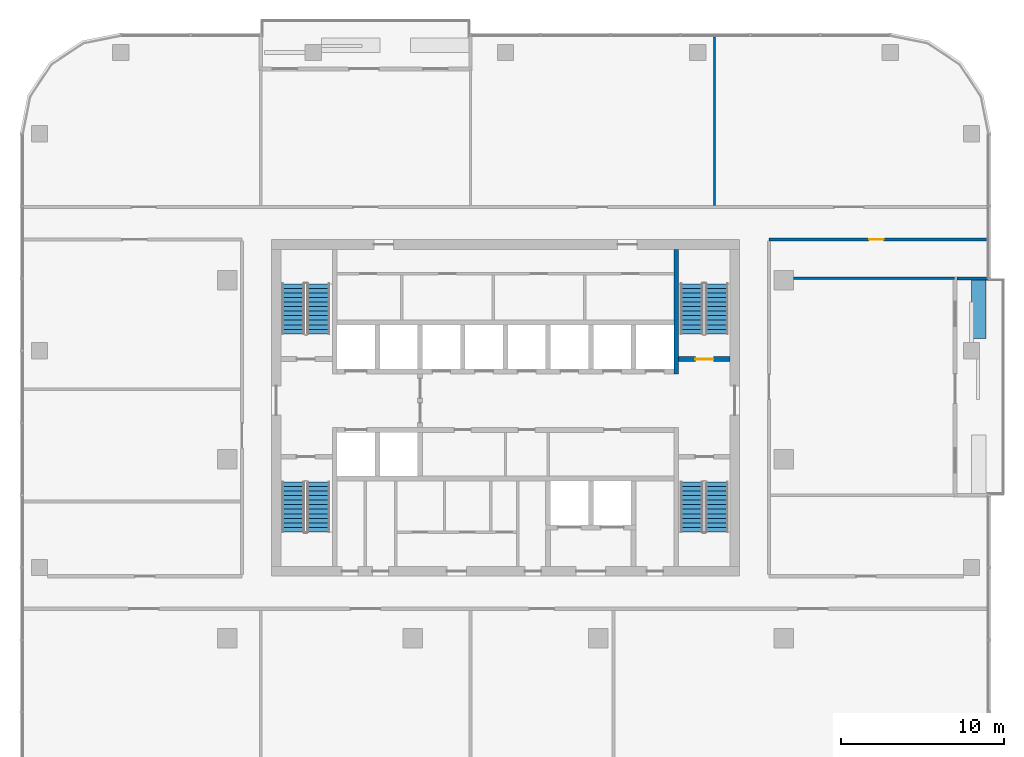
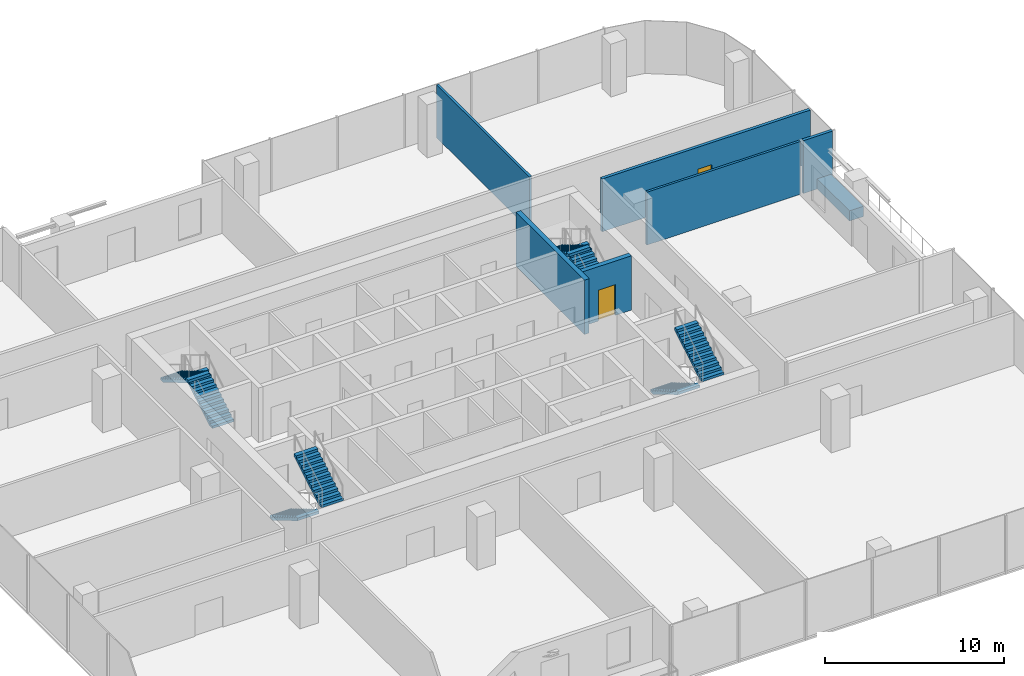
# One storey, part 10 of 13: 8 stair flights, 7 walls, 2 doors, 2 openings, 4 elements without a shape of their own.
"""IFC4 building model written with IfcOpenShell, lengths in metres."""

from ifc_helpers import new_model, si_unit, direction, frame, frame_2d, origin, place, context, subcontext, project, spatial, polyline, rectangle, outline, extrude, material, layer, layer_set, type_object, element, fill, aggregate, save


model = new_model("IFC4")

# Units and contexts
model_context = context("Model", 3, precision=1e-05, world=origin(), true_north=direction((0.0, 1.0)))
body_context = subcontext(model_context, "Body", "Model", "MODEL_VIEW")
ifc_project = project(units=[si_unit("LENGTHUNIT", "METRE"), si_unit("AREAUNIT", "SQUARE_METRE"), si_unit("VOLUMEUNIT", "CUBIC_METRE"), si_unit("PLANEANGLEUNIT", "RADIAN"), si_unit("MASSUNIT", "GRAM", prefix="KILO")], contexts=[model_context])

# Site, building, storey
site_placement = place(None, origin())
site = spatial("IfcSite", under=ifc_project, at=site_placement, CompositionType="ELEMENT")
building_placement = place(site_placement, origin())
building = spatial("IfcBuilding", under=site, at=building_placement, Name="Mopane Tessera Tower", CompositionType="ELEMENT")
storey_placement = place(building_placement, frame((0.0, 0.0, 307.39990234375)))
storey = spatial("IfcBuildingStorey", under=building, at=storey_placement, Name="L67", CompositionType="ELEMENT", Elevation=307.39990234375)

# Wall
ifc_material_1 = material(Name="Concrete C60/75", Category="concrete")
ifc_layer_1 = layer(ifc_material_1, 0.300048828125)
ifc_layer_set_1 = layer_set([ifc_layer_1], Name="Concrete C60/75")
wall_type_1 = type_object("IfcWallType", Name="Core spine wall 300 mm", PredefinedType="SHEAR", material=ifc_layer_set_1)
wall_1_placement = place(storey_placement, frame((10.5, 5.25, 0.0), z_axis=(0.0, 0.0, 1.0), x_axis=(0.0, 1.0, 0.0)))
element("IfcWall", 1, at=wall_1_placement, inside=storey, type_object=wall_type_1, Name="L67 Core spine wall", PredefinedType="SHEAR", context=body_context, shape_type="SweptSolid", body=[
    extrude(rectangle(XDim=7.64990234375, YDim=0.300048828125, at=frame_2d((3.824951171875, 0.0))), origin(), (0.0, 0.0, 1.0), 3.7001953125),
])

# Wall, opening, door
ifc_material_2 = material(Name="Gypsum board on steel studs, two layers each face, mineral wool infill", Category="steel")
ifc_layer_2 = layer(ifc_material_2, 0.199951171875)
ifc_layer_set_2 = layer_set([ifc_layer_2], Name="Gypsum board on steel studs, two layers each face, mineral wool infill")
wall_type_2 = type_object("IfcWallType", Name="Gypsum board corridor wall 200, rated EI 60", PredefinedType="PARTITIONING", material=ifc_layer_set_2)
wall_2_placement = place(storey_placement, frame((16.199951171875, 13.5, 0.0), z_axis=(0.0, 0.0, 1.0), x_axis=(1.0, 0.0, 0.0)))
wall_2 = element("IfcWall", 2, at=wall_2_placement, inside=storey, type_object=wall_type_2, Name="Partition L67:008", PredefinedType="PARTITIONING", context=body_context, shape_type="SweptSolid", body=[
    extrude(rectangle(XDim=13.400146484375, YDim=0.199951171875, at=frame_2d((6.7001953125, 0.0))), origin(), (0.0, 0.0, 1.0), 3.60009765625),
])
opening_1_placement = place(wall_2_placement, frame((6.14990234375, 0.0, 0.0)))
opening_1 = element("IfcOpeningElement", 3, at=opening_1_placement, cuts=wall_2, Name="Opening L67-07", PredefinedType="OPENING", context=body_context, shape_type="SweptSolid", body=[
    extrude(rectangle(XDim=0.89990234375, YDim=2.10009765625, at=frame_2d((0.449951171875, 1.050048828125))), frame((0.0, 0.112060546875, 0.0), z_axis=(0.0, -1.0, 0.0), x_axis=(1.0, 0.0, 0.0)), (0.0, 0.0, 1.0), 0.223876953125),
])
ifc_material_3 = material(Name="Timber veneered steel-framed fire door", Category="steel")
door_type_1 = type_object("IfcDoorType", Name="Fire door FD60 900 x 2100", OperationType="SINGLE_SWING_LEFT", PredefinedType="DOOR", material=ifc_material_3)
door_1_placement = place(opening_1_placement, origin())
door_1 = element("IfcDoor", 4, at=door_1_placement, inside=storey, type_object=door_type_1, Name="Door L67-07", ObjectType="D10A", OperationType="SINGLE_SWING_LEFT", OverallHeight=2.10009765625, OverallWidth=0.89990234375, PredefinedType="DOOR", context=body_context, shape_type="SweptSolid", body=[
    extrude(rectangle(XDim=0.89990234375, YDim=2.10009765625, at=frame_2d((0.449951171875, 1.050048828125))), frame((0.0, 0.02490234375, 0.0), z_axis=(0.0, -1.0, 0.0), x_axis=(1.0, 0.0, 0.0)), (0.0, 0.0, 1.0), 0.050048828125),
])
fill(opening_1, door_1)

# Walls
ifc_material_4 = material(Name="Gypsum board on steel studs, mineral wool infill", Category="steel")
ifc_layer_3 = layer(ifc_material_4, 0.14990234375)
ifc_layer_set_3 = layer_set([ifc_layer_3], Name="Gypsum board on steel studs, mineral wool infill")
wall_type_3 = type_object("IfcWallType", Name="Gypsum board partition 150, rated EI 60", PredefinedType="PARTITIONING", material=ifc_layer_set_3)
wall_3_placement = place(storey_placement, frame((17.699951171875, 11.110107421875, 0.0), z_axis=(0.0, 0.0, 1.0), x_axis=(1.0, 0.0, 0.0)))
element("IfcWall", 5, at=wall_3_placement, inside=storey, type_object=wall_type_3, Name="Partition L67:006", PredefinedType="PARTITIONING", context=body_context, shape_type="SweptSolid", body=[
    extrude(rectangle(XDim=9.900146484375, YDim=0.14990234375, at=frame_2d((4.9501953125, 0.0))), origin(), (0.0, 0.0, 1.0), 3.60009765625),
])
wall_4_placement = place(storey_placement, frame((12.85009765625, 15.60009765625, 0.0), z_axis=(0.0, 0.0, 1.0), x_axis=(0.0, 1.0, 0.0)))
element("IfcWall", 6, at=wall_4_placement, inside=storey, type_object=wall_type_3, Name="Partition L67:016", PredefinedType="PARTITIONING", context=body_context, shape_type="SweptSolid", body=[
    extrude(rectangle(XDim=10.349853515625, YDim=0.14990234375, at=frame_2d((5.1748046875, 0.0))), origin(), (0.0, 0.0, 1.0), 3.60009765625),
])

# Wall, opening, door
ifc_material_5 = material(Name="Concrete C50/60", Category="concrete")
ifc_layer_4 = layer(ifc_material_5, 0.300048828125)
ifc_layer_set_4 = layer_set([ifc_layer_4], Name="Concrete C50/60")
wall_type_4 = type_object("IfcWallType", Name="Lift and stair shaft wall 300 mm", PredefinedType="SOLIDWALL", material=ifc_layer_set_4)
wall_5_placement = place(storey_placement, frame((10.64990234375, 6.14990234375, 0.0), z_axis=(0.0, 0.0, 1.0), x_axis=(1.0, 0.0, 0.0)))
wall_5 = element("IfcWall", 7, at=wall_5_placement, inside=storey, type_object=wall_type_4, Name="L67 Stair enclosure wall", PredefinedType="SOLIDWALL", context=body_context, shape_type="SweptSolid", body=[
    extrude(rectangle(XDim=3.150146484375, YDim=0.300048828125, at=frame_2d((1.5751953125, 0.0))), origin(), (0.0, 0.0, 1.0), 3.7001953125),
])
opening_2_placement = place(wall_5_placement, frame((1.02490234375, 0.0, 0.0)))
opening_2 = element("IfcOpeningElement", 8, at=opening_2_placement, cuts=wall_5, Name="Opening SD1", PredefinedType="OPENING", context=body_context, shape_type="SweptSolid", body=[
    extrude(rectangle(XDim=1.10009765625, YDim=2.10009765625, at=frame_2d((0.550048828125, 1.050048828125))), frame((0.0, 0.162109375, 0.0), z_axis=(0.0, -1.0, 0.0), x_axis=(1.0, 0.0, 0.0)), (0.0, 0.0, 1.0), 0.323974609375),
])
ifc_material_6 = material(Name="Steel fire door", Category="steel")
door_type_2 = type_object("IfcDoorType", Name="Stair fire door 1100 x 2100", OperationType="SINGLE_SWING_LEFT", PredefinedType="DOOR", material=ifc_material_6)
door_2_placement = place(opening_2_placement, origin())
door_2 = element("IfcDoor", 9, at=door_2_placement, inside=storey, type_object=door_type_2, Name="L67 Stair door ST4", OperationType="SINGLE_SWING_RIGHT", OverallHeight=2.10009765625, OverallWidth=1.10009765625, PredefinedType="DOOR", context=body_context, shape_type="SweptSolid", body=[
    extrude(rectangle(XDim=1.10009765625, YDim=2.10009765625, at=frame_2d((0.550048828125, 1.050048828125))), frame((0.0, 0.02490234375, 0.0), z_axis=(0.0, -1.0, 0.0), x_axis=(1.0, 0.0, 0.0)), (0.0, 0.0, 1.0), 0.050048828125),
])
fill(opening_2, door_2)

# Walls
ifc_material_7 = material(Name="Reinforced concrete C32/40 with waterproofing", Category="concrete")
ifc_layer_5 = layer(ifc_material_7, 0.89990234375)
ifc_layer_set_5 = layer_set([ifc_layer_5], Name="Reinforced concrete C32/40 with waterproofing")
wall_type_5 = type_object("IfcWallType", Name="Planter trough 3600 x 900", PredefinedType="STANDARD", material=ifc_layer_set_5)
wall_6_placement = place(storey_placement, frame((29.10009765625, 7.4111328125, 0.0), z_axis=(0.0, 0.0, 1.0), x_axis=(0.0, 1.0, 0.0)))
element("IfcWall", 10, at=wall_6_placement, inside=storey, type_object=wall_type_5, Name="e:nw:L67:N1:pl1", PredefinedType="STANDARD", context=body_context, shape_type="SweptSolid", body=[
    extrude(rectangle(XDim=3.60009765625, YDim=0.89990234375, at=frame_2d((1.800048828125, 0.0))), origin(), (0.0, 0.0, 1.0), 0.7001953125),
])
ifc_material_8 = material(Name="Blockwork with glazed tile facing", Category="masonry")
ifc_layer_6 = layer(ifc_material_8, 0.199951171875)
ifc_layer_set_6 = layer_set([ifc_layer_6], Name="Blockwork with glazed tile facing")
wall_type_6 = type_object("IfcWallType", Name="Terrace cheek wall 200", PredefinedType="STANDARD", material=ifc_layer_set_6)
wall_7_placement = place(storey_placement, frame((29.64990234375, 11.111083984375, 0.0), z_axis=(0.0, 0.0, 1.0), x_axis=(-1.0, 0.0, 0.0)))
element("IfcWall", 11, at=wall_7_placement, inside=storey, type_object=wall_type_6, Name="e:nw:L67:N1:cheekb", PredefinedType="STANDARD", context=body_context, shape_type="SweptSolid", body=[
    extrude(rectangle(XDim=1.875, YDim=0.199951171875, at=frame_2d((0.9375, 0.0))), origin(), (0.0, 0.0, 1.0), 3.60009765625),
])

# Stair, stair flights
ifc_material_9 = material(Name="Concrete C50/60", Category="concrete")
stair_type = type_object("IfcStairType", Name="Escape stair 1400 mm, riser 167 mm", PredefinedType="HALF_TURN_STAIR", material=ifc_material_9)
stair_1_placement = place(storey_placement, origin())
stair_1 = element("IfcStair", 12, at=stair_1_placement, inside=storey, type_object=stair_type, Name="L67 Escape stair south-west", PredefinedType="HALF_TURN_STAIR")
ifc_material_10 = material(Name="Concrete C50/60", Category="concrete")
stair_flight_type = type_object("IfcStairFlightType", Name="Escape stair flight 1400 mm", PredefinedType="STRAIGHT", material=ifc_material_10)
stair_flight_1_placement = place(storey_placement, frame((-13.050048828125, -1.39990234375, 0.0), z_axis=(0.0, 0.0, 1.0), x_axis=(0.0, -1.0, 0.0)))
stair_flight_1 = element("IfcStairFlight", 13, at=stair_flight_1_placement, type_object=stair_flight_type, Name="ST1 flight 1", NumberOfRisers=12, NumberOfTreads=11, PredefinedType="STRAIGHT", RiserHeight=0.166666667, TreadLength=0.28, context=body_context, shape_type="SweptSolid", body=[
    extrude(outline(polyline([(0.0, 0.0), (0.0, 0.166748046875), (0.280029296875, 0.166748046875), (0.280029296875, 0.333251953125), (0.56005859375, 0.333251953125), (0.56005859375, 0.5), (0.840087890625, 0.5), (0.840087890625, 0.666748046875), (1.1201171875, 0.666748046875), (1.1201171875, 0.833251953125), (1.39990234375, 0.833251953125), (1.39990234375, 1.0), (1.679931640625, 1.0), (1.679931640625, 1.166748046875), (1.9599609375, 1.166748046875), (1.9599609375, 1.333251953125), (2.239990234375, 1.333251953125), (2.239990234375, 1.5), (2.52001953125, 1.5), (2.52001953125, 1.666748046875), (2.800048828125, 1.666748046875), (2.800048828125, 1.833251953125), (3.080078125, 1.833251953125), (3.080078125, 2.0), (3.080078125, 1.658935546875), (0.29296875, 0.0), (0.0, 0.0)])), frame((0.0, 0.699951171875, 0.0), z_axis=(0.0, -1.0, 0.0), x_axis=(1.0, 0.0, 0.0)), (0.0, 0.0, 1.0), 1.39990234375),
])
stair_flight_2_placement = place(storey_placement, frame((-11.5, -4.47998046875, 2.0), z_axis=(0.0, 0.0, 1.0), x_axis=(0.0, 1.0, 0.0)))
stair_flight_2 = element("IfcStairFlight", 14, at=stair_flight_2_placement, type_object=stair_flight_type, Name="ST1 flight 2", NumberOfRisers=12, NumberOfTreads=11, PredefinedType="STRAIGHT", RiserHeight=0.166666667, TreadLength=0.28, context=body_context, shape_type="SweptSolid", body=[
    extrude(outline(polyline([(0.0, 0.0), (0.0, 0.166748046875), (0.280029296875, 0.166748046875), (0.280029296875, 0.333251953125), (0.56005859375, 0.333251953125), (0.56005859375, 0.5), (0.840087890625, 0.5), (0.840087890625, 0.666748046875), (1.1201171875, 0.666748046875), (1.1201171875, 0.833251953125), (1.39990234375, 0.833251953125), (1.39990234375, 1.0), (1.679931640625, 1.0), (1.679931640625, 1.166748046875), (1.9599609375, 1.166748046875), (1.9599609375, 1.333251953125), (2.239990234375, 1.333251953125), (2.239990234375, 1.5), (2.52001953125, 1.5), (2.52001953125, 1.666748046875), (2.800048828125, 1.666748046875), (2.800048828125, 1.833251953125), (3.080078125, 1.833251953125), (3.080078125, 2.0), (3.080078125, 1.658935546875), (0.29296875, 0.0), (0.0, 0.0)])), frame((0.0, 0.699951171875, 0.0), z_axis=(0.0, -1.0, 0.0), x_axis=(1.0, 0.0, 0.0)), (0.0, 0.0, 1.0), 1.39990234375),
])
aggregate(stair_1, [stair_flight_1, stair_flight_2])

stair_2_placement = place(storey_placement, origin())
stair_2 = element("IfcStair", 15, at=stair_2_placement, inside=storey, type_object=stair_type, Name="L67 Escape stair north-west", PredefinedType="HALF_TURN_STAIR")
stair_flight_3_placement = place(storey_placement, frame((-11.5, 7.699951171875, 0.0), z_axis=(0.0, 0.0, 1.0), x_axis=(0.0, 1.0, 0.0)))
stair_flight_3 = element("IfcStairFlight", 16, at=stair_flight_3_placement, type_object=stair_flight_type, Name="ST2 flight 1", NumberOfRisers=12, NumberOfTreads=11, PredefinedType="STRAIGHT", RiserHeight=0.166666667, TreadLength=0.28, context=body_context, shape_type="SweptSolid", body=[
    extrude(outline(polyline([(0.0, 0.0), (0.0, 0.166748046875), (0.280029296875, 0.166748046875), (0.280029296875, 0.333251953125), (0.56005859375, 0.333251953125), (0.56005859375, 0.5), (0.840087890625, 0.5), (0.840087890625, 0.666748046875), (1.1201171875, 0.666748046875), (1.1201171875, 0.833251953125), (1.39990234375, 0.833251953125), (1.39990234375, 1.0), (1.679931640625, 1.0), (1.679931640625, 1.166748046875), (1.9599609375, 1.166748046875), (1.9599609375, 1.333251953125), (2.239990234375, 1.333251953125), (2.239990234375, 1.5), (2.52001953125, 1.5), (2.52001953125, 1.666748046875), (2.800048828125, 1.666748046875), (2.800048828125, 1.833251953125), (3.080078125, 1.833251953125), (3.080078125, 2.0), (3.080078125, 1.658935546875), (0.29296875, 0.0), (0.0, 0.0)])), frame((0.0, 0.699951171875, 0.0), z_axis=(0.0, -1.0, 0.0), x_axis=(1.0, 0.0, 0.0)), (0.0, 0.0, 1.0), 1.39990234375),
])
stair_flight_4_placement = place(storey_placement, frame((-13.050048828125, 10.780029296875, 2.0), z_axis=(0.0, 0.0, 1.0), x_axis=(0.0, -1.0, 0.0)))
stair_flight_4 = element("IfcStairFlight", 17, at=stair_flight_4_placement, type_object=stair_flight_type, Name="ST2 flight 2", NumberOfRisers=12, NumberOfTreads=11, PredefinedType="STRAIGHT", RiserHeight=0.166666667, TreadLength=0.28, context=body_context, shape_type="SweptSolid", body=[
    extrude(outline(polyline([(0.0, 0.0), (0.0, 0.166748046875), (0.280029296875, 0.166748046875), (0.280029296875, 0.333251953125), (0.56005859375, 0.333251953125), (0.56005859375, 0.5), (0.840087890625, 0.5), (0.840087890625, 0.666748046875), (1.1201171875, 0.666748046875), (1.1201171875, 0.833251953125), (1.39990234375, 0.833251953125), (1.39990234375, 1.0), (1.679931640625, 1.0), (1.679931640625, 1.166748046875), (1.9599609375, 1.166748046875), (1.9599609375, 1.333251953125), (2.239990234375, 1.333251953125), (2.239990234375, 1.5), (2.52001953125, 1.5), (2.52001953125, 1.666748046875), (2.800048828125, 1.666748046875), (2.800048828125, 1.833251953125), (3.080078125, 1.833251953125), (3.080078125, 2.0), (3.080078125, 1.658935546875), (0.29296875, 0.0), (0.0, 0.0)])), frame((0.0, 0.699951171875, 0.0), z_axis=(0.0, -1.0, 0.0), x_axis=(1.0, 0.0, 0.0)), (0.0, 0.0, 1.0), 1.39990234375),
])
aggregate(stair_2, [stair_flight_3, stair_flight_4])

stair_3_placement = place(storey_placement, origin())
stair_3 = element("IfcStair", 18, at=stair_3_placement, inside=storey, type_object=stair_type, Name="L67 Escape stair south-east", PredefinedType="HALF_TURN_STAIR")
stair_flight_5_placement = place(storey_placement, frame((11.449951171875, -1.39990234375, 0.0), z_axis=(0.0, 0.0, 1.0), x_axis=(0.0, -1.0, 0.0)))
stair_flight_5 = element("IfcStairFlight", 19, at=stair_flight_5_placement, type_object=stair_flight_type, Name="ST3 flight 1", NumberOfRisers=12, NumberOfTreads=11, PredefinedType="STRAIGHT", RiserHeight=0.166666667, TreadLength=0.28, context=body_context, shape_type="SweptSolid", body=[
    extrude(outline(polyline([(0.0, 0.0), (0.0, 0.166748046875), (0.280029296875, 0.166748046875), (0.280029296875, 0.333251953125), (0.56005859375, 0.333251953125), (0.56005859375, 0.5), (0.840087890625, 0.5), (0.840087890625, 0.666748046875), (1.1201171875, 0.666748046875), (1.1201171875, 0.833251953125), (1.39990234375, 0.833251953125), (1.39990234375, 1.0), (1.679931640625, 1.0), (1.679931640625, 1.166748046875), (1.9599609375, 1.166748046875), (1.9599609375, 1.333251953125), (2.239990234375, 1.333251953125), (2.239990234375, 1.5), (2.52001953125, 1.5), (2.52001953125, 1.666748046875), (2.800048828125, 1.666748046875), (2.800048828125, 1.833251953125), (3.080078125, 1.833251953125), (3.080078125, 2.0), (3.080078125, 1.658935546875), (0.29296875, 0.0), (0.0, 0.0)])), frame((0.0, 0.699951171875, 0.0), z_axis=(0.0, -1.0, 0.0), x_axis=(1.0, 0.0, 0.0)), (0.0, 0.0, 1.0), 1.39990234375),
])
stair_flight_6_placement = place(storey_placement, frame((13.0, -4.47998046875, 2.0), z_axis=(0.0, 0.0, 1.0), x_axis=(0.0, 1.0, 0.0)))
stair_flight_6 = element("IfcStairFlight", 20, at=stair_flight_6_placement, type_object=stair_flight_type, Name="ST3 flight 2", NumberOfRisers=12, NumberOfTreads=11, PredefinedType="STRAIGHT", RiserHeight=0.166666667, TreadLength=0.28, context=body_context, shape_type="SweptSolid", body=[
    extrude(outline(polyline([(0.0, 0.0), (0.0, 0.166748046875), (0.280029296875, 0.166748046875), (0.280029296875, 0.333251953125), (0.56005859375, 0.333251953125), (0.56005859375, 0.5), (0.840087890625, 0.5), (0.840087890625, 0.666748046875), (1.1201171875, 0.666748046875), (1.1201171875, 0.833251953125), (1.39990234375, 0.833251953125), (1.39990234375, 1.0), (1.679931640625, 1.0), (1.679931640625, 1.166748046875), (1.9599609375, 1.166748046875), (1.9599609375, 1.333251953125), (2.239990234375, 1.333251953125), (2.239990234375, 1.5), (2.52001953125, 1.5), (2.52001953125, 1.666748046875), (2.800048828125, 1.666748046875), (2.800048828125, 1.833251953125), (3.080078125, 1.833251953125), (3.080078125, 2.0), (3.080078125, 1.658935546875), (0.29296875, 0.0), (0.0, 0.0)])), frame((0.0, 0.699951171875, 0.0), z_axis=(0.0, -1.0, 0.0), x_axis=(1.0, 0.0, 0.0)), (0.0, 0.0, 1.0), 1.39990234375),
])
aggregate(stair_3, [stair_flight_5, stair_flight_6])

stair_4_placement = place(storey_placement, origin())
stair_4 = element("IfcStair", 21, at=stair_4_placement, inside=storey, type_object=stair_type, Name="L67 Escape stair north-east", PredefinedType="HALF_TURN_STAIR")
stair_flight_7_placement = place(storey_placement, frame((13.0, 7.699951171875, 0.0), z_axis=(0.0, 0.0, 1.0), x_axis=(0.0, 1.0, 0.0)))
stair_flight_7 = element("IfcStairFlight", 22, at=stair_flight_7_placement, type_object=stair_flight_type, Name="ST4 flight 1", NumberOfRisers=12, NumberOfTreads=11, PredefinedType="STRAIGHT", RiserHeight=0.166666667, TreadLength=0.28, context=body_context, shape_type="SweptSolid", body=[
    extrude(outline(polyline([(0.0, 0.0), (0.0, 0.166748046875), (0.280029296875, 0.166748046875), (0.280029296875, 0.333251953125), (0.56005859375, 0.333251953125), (0.56005859375, 0.5), (0.840087890625, 0.5), (0.840087890625, 0.666748046875), (1.1201171875, 0.666748046875), (1.1201171875, 0.833251953125), (1.39990234375, 0.833251953125), (1.39990234375, 1.0), (1.679931640625, 1.0), (1.679931640625, 1.166748046875), (1.9599609375, 1.166748046875), (1.9599609375, 1.333251953125), (2.239990234375, 1.333251953125), (2.239990234375, 1.5), (2.52001953125, 1.5), (2.52001953125, 1.666748046875), (2.800048828125, 1.666748046875), (2.800048828125, 1.833251953125), (3.080078125, 1.833251953125), (3.080078125, 2.0), (3.080078125, 1.658935546875), (0.29296875, 0.0), (0.0, 0.0)])), frame((0.0, 0.699951171875, 0.0), z_axis=(0.0, -1.0, 0.0), x_axis=(1.0, 0.0, 0.0)), (0.0, 0.0, 1.0), 1.39990234375),
])
stair_flight_8_placement = place(storey_placement, frame((11.449951171875, 10.780029296875, 2.0), z_axis=(0.0, 0.0, 1.0), x_axis=(0.0, -1.0, 0.0)))
stair_flight_8 = element("IfcStairFlight", 23, at=stair_flight_8_placement, type_object=stair_flight_type, Name="ST4 flight 2", NumberOfRisers=12, NumberOfTreads=11, PredefinedType="STRAIGHT", RiserHeight=0.166666667, TreadLength=0.28, context=body_context, shape_type="SweptSolid", body=[
    extrude(outline(polyline([(0.0, 0.0), (0.0, 0.166748046875), (0.280029296875, 0.166748046875), (0.280029296875, 0.333251953125), (0.56005859375, 0.333251953125), (0.56005859375, 0.5), (0.840087890625, 0.5), (0.840087890625, 0.666748046875), (1.1201171875, 0.666748046875), (1.1201171875, 0.833251953125), (1.39990234375, 0.833251953125), (1.39990234375, 1.0), (1.679931640625, 1.0), (1.679931640625, 1.166748046875), (1.9599609375, 1.166748046875), (1.9599609375, 1.333251953125), (2.239990234375, 1.333251953125), (2.239990234375, 1.5), (2.52001953125, 1.5), (2.52001953125, 1.666748046875), (2.800048828125, 1.666748046875), (2.800048828125, 1.833251953125), (3.080078125, 1.833251953125), (3.080078125, 2.0), (3.080078125, 1.658935546875), (0.29296875, 0.0), (0.0, 0.0)])), frame((0.0, 0.699951171875, 0.0), z_axis=(0.0, -1.0, 0.0), x_axis=(1.0, 0.0, 0.0)), (0.0, 0.0, 1.0), 1.39990234375),
])
aggregate(stair_4, [stair_flight_7, stair_flight_8])

save(model, "model.ifc")
